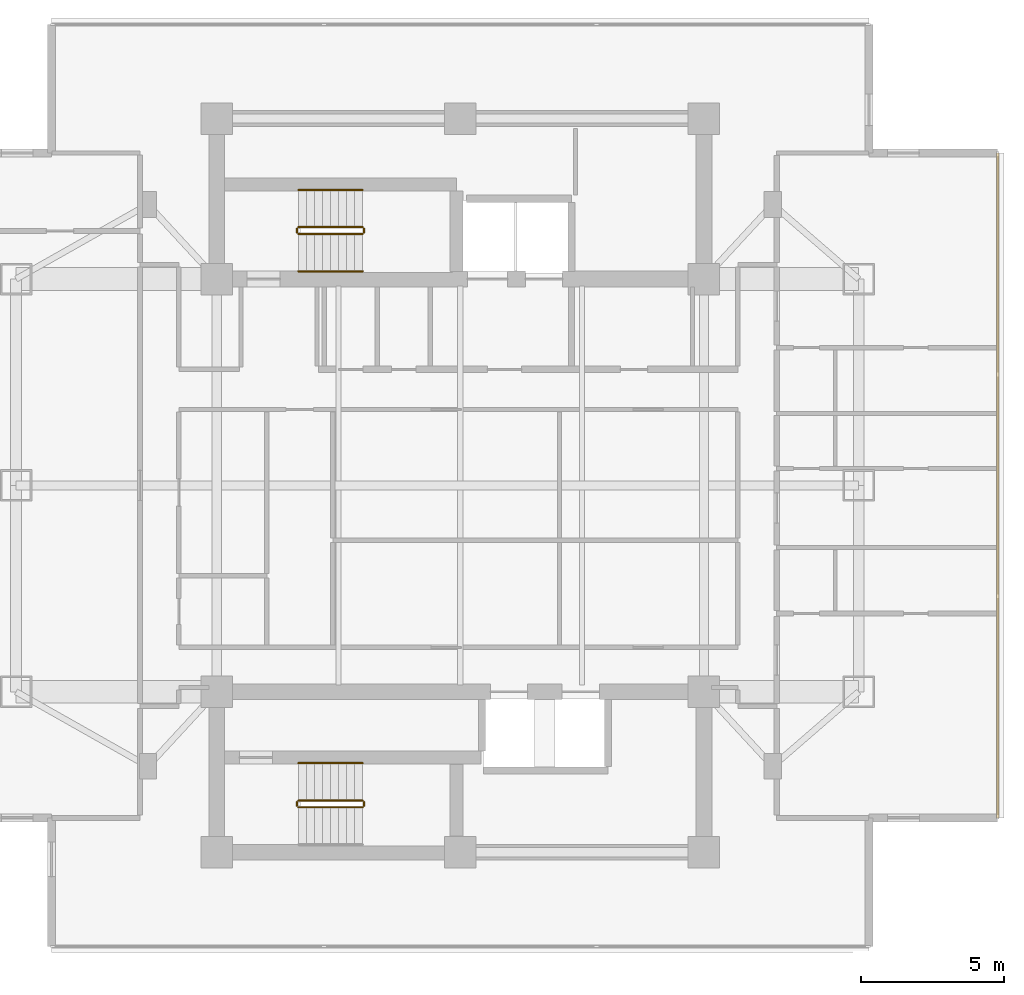
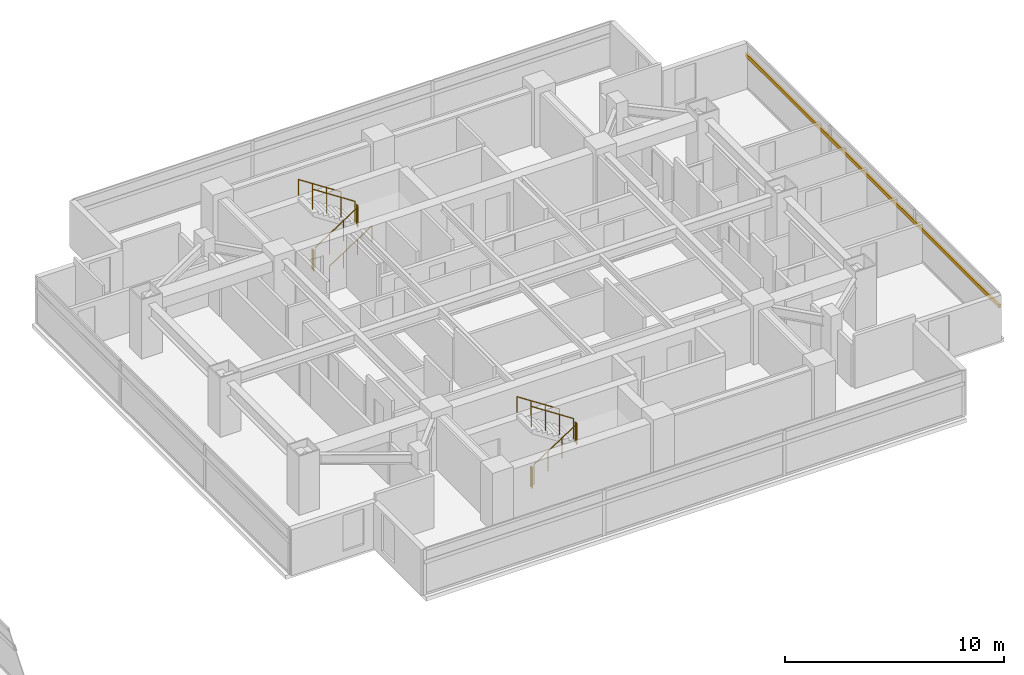
# One storey, part 23 of 24: 11 railings, 1 shading device.
"""IFC4 building model written with IfcOpenShell, lengths in metres."""

from ifc_helpers import new_model, si_unit, direction, frame, origin, origin_2d, place, context, subcontext, project, spatial, rectangle, circle, extrude, material, material_profile, profile_set, type_object, element, save


model = new_model("IFC4")

# Units and contexts
model_context = context("Model", 3, precision=1e-05, world=origin(), true_north=direction((0.0, 1.0)))
body_context = subcontext(model_context, "Body", "Model", "MODEL_VIEW")
ifc_project = project(units=[si_unit("LENGTHUNIT", "METRE"), si_unit("AREAUNIT", "SQUARE_METRE"), si_unit("VOLUMEUNIT", "CUBIC_METRE"), si_unit("PLANEANGLEUNIT", "RADIAN"), si_unit("MASSUNIT", "GRAM", prefix="KILO")], contexts=[model_context])

# Site, building, storey
site_placement = place(None, origin())
site = spatial("IfcSite", under=ifc_project, at=site_placement, CompositionType="ELEMENT")
building_placement = place(site_placement, origin())
building = spatial("IfcBuilding", under=site, at=building_placement, Name="Mirazonda Arch Towers", CompositionType="ELEMENT")
storey_placement = place(building_placement, frame((0.0, 0.0, 144.5)))
storey = spatial("IfcBuildingStorey", under=building, at=storey_placement, Name="L41", CompositionType="ELEMENT", Elevation=144.5)

# Shading device
ifc_material_1 = material(Name="Kiln-Fired Architectural Terracotta", Category="masonry")
ifc_material_profile = material_profile(ifc_material_1, rectangle(XDim=0.10009765625, YDim=0.199951171875, at=origin_2d()), Name="TERRA-BAG-100x200")
ifc_profile_set = profile_set([ifc_material_profile], Name="Kiln-Fired Architectural Terracotta")
shading_device_type = type_object("IfcShadingDeviceType", Name="BAGUETTE-2", PredefinedType="USERDEFINED", material=ifc_profile_set)
shading_device_placement = place(storey_placement, frame((95.2490234375, 16.401123046875, 1.84326171875), z_axis=(0.0, 1.0, 0.0), x_axis=(-1.0, 0.0, 0.0)))
element("IfcShadingDevice", 1, at=shading_device_placement, inside=storey, type_object=shading_device_type, Name="L41 Glazed Terracotta Sun-Screen Baguette CW-L41-T2-E", ObjectType="BAGUETTE", PredefinedType="USERDEFINED", context=body_context, shape_type="SweptSolid", body=[
    extrude(rectangle(XDim=0.10009765625, YDim=0.199951171875, at=origin_2d()), origin(), (0.0, 0.0, 1.0), 23.19775390625),
])

# Railings
ifc_material_2 = material(Name="Architectural Brushed Steel S355", Category="steel")
railing_type_1 = type_object("IfcRailingType", Name="GUARD-STAIR-1120", PredefinedType="GUARDRAIL", material=ifc_material_2)
railing_1_placement = place(storey_placement, frame((70.85009765625, 36.77001953125, 0.183349609375)))
element("IfcRailing", 2, at=railing_1_placement, inside=storey, type_object=railing_type_1, Name="L41 ST-T2N stair guard 1", PredefinedType="GUARDRAIL", context=body_context, shape_type="SweptSolid", body=[
    extrude(circle(Radius=0.02392578125, at=origin_2d()), frame((0.0, 0.0, 1.1259765625), z_axis=(0.836636935527, 0.0, 0.547757827979), x_axis=(0.0, 1.0, 0.0)), (0.0, 0.0, 1.0), 2.677490234375),
    extrude(circle(Radius=0.02099609375, at=origin_2d()), origin(), (0.0, 0.0, 1.0), 1.101806640625),
    extrude(circle(Radius=0.02099609375, at=origin_2d()), frame((0.74658203125, 0.0, 0.48876953125)), (0.0, 0.0, 1.0), 1.101806640625),
    extrude(circle(Radius=0.02099609375, at=origin_2d()), frame((1.493408203125, 0.0, 0.977783203125)), (0.0, 0.0, 1.0), 1.101806640625),
    extrude(circle(Radius=0.02099609375, at=origin_2d()), frame((2.239990234375, 0.0, 1.466552734375)), (0.0, 0.0, 1.0), 1.101806640625),
])
railing_2_placement = place(storey_placement, frame((73.139892578125, 36.820068359375, 1.64990234375)))
element("IfcRailing", 3, at=railing_2_placement, inside=storey, type_object=railing_type_1, Name="L41 ST-T2N stair guard 2", PredefinedType="GUARDRAIL", context=body_context, shape_type="SweptSolid", body=[
    extrude(circle(Radius=0.02392578125, at=origin_2d()), frame((0.0, 0.0, 1.1259765625), z_axis=(0.0, 1.0, 0.0), x_axis=(-1.0, 0.0, 0.0)), (0.0, 0.0, 1.0), 0.139892578125),
    extrude(circle(Radius=0.02099609375, at=origin_2d()), origin(), (0.0, 0.0, 1.0), 1.101806640625),
    extrude(circle(Radius=0.02099609375, at=origin_2d()), frame((0.0, 0.139892578125, 0.0)), (0.0, 0.0, 1.0), 1.101806640625),
])
railing_3_placement = place(storey_placement, frame((73.090087890625, 37.010009765625, 1.833251953125)))
element("IfcRailing", 4, at=railing_3_placement, inside=storey, type_object=railing_type_1, Name="L41 ST-T2N stair guard 3", PredefinedType="GUARDRAIL", context=body_context, shape_type="SweptSolid", body=[
    extrude(circle(Radius=0.02392578125, at=origin_2d()), frame((0.0, 0.0, 1.1259765625), z_axis=(-0.836595146698, 0.0, 0.547821650285), x_axis=(0.0, -1.0, 0.0)), (0.0, 0.0, 1.0), 2.677490234375),
    extrude(circle(Radius=0.02099609375, at=origin_2d()), origin(), (0.0, 0.0, 1.0), 1.101806640625),
    extrude(circle(Radius=0.02099609375, at=origin_2d()), frame((-0.74658203125, 0.0, 0.489013671875)), (0.0, 0.0, 1.0), 1.101806640625),
    extrude(circle(Radius=0.02099609375, at=origin_2d()), frame((-1.493408203125, 0.0, 0.977783203125)), (0.0, 0.0, 1.0), 1.101806640625),
    extrude(circle(Radius=0.02099609375, at=origin_2d()), frame((-2.239990234375, 0.0, 1.466796875)), (0.0, 0.0, 1.0), 1.101806640625),
])
railing_4_placement = place(storey_placement, frame((70.800048828125, 36.820068359375, 0.0)))
element("IfcRailing", 5, at=railing_4_placement, inside=storey, type_object=railing_type_1, Name="L41 ST-T2N stair guard 4", PredefinedType="GUARDRAIL", context=body_context, shape_type="SweptSolid", body=[
    extrude(circle(Radius=0.02392578125, at=origin_2d()), frame((0.0, 0.0, 1.1259765625), z_axis=(0.0, 1.0, 0.0), x_axis=(-1.0, 0.0, 0.0)), (0.0, 0.0, 1.0), 0.139892578125),
    extrude(circle(Radius=0.02099609375, at=origin_2d()), origin(), (0.0, 0.0, 1.0), 1.101806640625),
    extrude(circle(Radius=0.02099609375, at=origin_2d()), frame((0.0, 0.139892578125, 0.0)), (0.0, 0.0, 1.0), 1.101806640625),
])
railing_5_placement = place(storey_placement, frame((70.85009765625, 16.77001953125, 0.183349609375)))
element("IfcRailing", 6, at=railing_5_placement, inside=storey, type_object=railing_type_1, Name="L41 ST-T2S stair guard 1", PredefinedType="GUARDRAIL", context=body_context, shape_type="SweptSolid", body=[
    extrude(circle(Radius=0.02392578125, at=origin_2d()), frame((0.0, 0.0, 1.1259765625), z_axis=(0.836636935527, 0.0, 0.547757827979), x_axis=(0.0, 1.0, 0.0)), (0.0, 0.0, 1.0), 2.677490234375),
    extrude(circle(Radius=0.02099609375, at=origin_2d()), origin(), (0.0, 0.0, 1.0), 1.101806640625),
    extrude(circle(Radius=0.02099609375, at=origin_2d()), frame((0.74658203125, 0.0, 0.48876953125)), (0.0, 0.0, 1.0), 1.101806640625),
    extrude(circle(Radius=0.02099609375, at=origin_2d()), frame((1.493408203125, 0.0, 0.977783203125)), (0.0, 0.0, 1.0), 1.101806640625),
    extrude(circle(Radius=0.02099609375, at=origin_2d()), frame((2.239990234375, 0.0, 1.466552734375)), (0.0, 0.0, 1.0), 1.101806640625),
])
railing_6_placement = place(storey_placement, frame((73.139892578125, 16.820068359375, 1.64990234375)))
element("IfcRailing", 7, at=railing_6_placement, inside=storey, type_object=railing_type_1, Name="L41 ST-T2S stair guard 2", PredefinedType="GUARDRAIL", context=body_context, shape_type="SweptSolid", body=[
    extrude(circle(Radius=0.02392578125, at=origin_2d()), frame((0.0, 0.0, 1.1259765625), z_axis=(0.0, 1.0, 0.0), x_axis=(-1.0, 0.0, 0.0)), (0.0, 0.0, 1.0), 0.139892578125),
    extrude(circle(Radius=0.02099609375, at=origin_2d()), origin(), (0.0, 0.0, 1.0), 1.101806640625),
    extrude(circle(Radius=0.02099609375, at=origin_2d()), frame((0.0, 0.139892578125, 0.0)), (0.0, 0.0, 1.0), 1.101806640625),
])
railing_7_placement = place(storey_placement, frame((73.090087890625, 17.010009765625, 1.833251953125)))
element("IfcRailing", 8, at=railing_7_placement, inside=storey, type_object=railing_type_1, Name="L41 ST-T2S stair guard 3", PredefinedType="GUARDRAIL", context=body_context, shape_type="SweptSolid", body=[
    extrude(circle(Radius=0.02392578125, at=origin_2d()), frame((0.0, 0.0, 1.1259765625), z_axis=(-0.836595146698, 0.0, 0.547821650285), x_axis=(0.0, -1.0, 0.0)), (0.0, 0.0, 1.0), 2.677490234375),
    extrude(circle(Radius=0.02099609375, at=origin_2d()), origin(), (0.0, 0.0, 1.0), 1.101806640625),
    extrude(circle(Radius=0.02099609375, at=origin_2d()), frame((-0.74658203125, 0.0, 0.489013671875)), (0.0, 0.0, 1.0), 1.101806640625),
    extrude(circle(Radius=0.02099609375, at=origin_2d()), frame((-1.493408203125, 0.0, 0.977783203125)), (0.0, 0.0, 1.0), 1.101806640625),
    extrude(circle(Radius=0.02099609375, at=origin_2d()), frame((-2.239990234375, 0.0, 1.466796875)), (0.0, 0.0, 1.0), 1.101806640625),
])
railing_8_placement = place(storey_placement, frame((70.800048828125, 16.820068359375, 0.0)))
element("IfcRailing", 9, at=railing_8_placement, inside=storey, type_object=railing_type_1, Name="L41 ST-T2S stair guard 4", PredefinedType="GUARDRAIL", context=body_context, shape_type="SweptSolid", body=[
    extrude(circle(Radius=0.02392578125, at=origin_2d()), frame((0.0, 0.0, 1.1259765625), z_axis=(0.0, 1.0, 0.0), x_axis=(-1.0, 0.0, 0.0)), (0.0, 0.0, 1.0), 0.139892578125),
    extrude(circle(Radius=0.02099609375, at=origin_2d()), origin(), (0.0, 0.0, 1.0), 1.101806640625),
    extrude(circle(Radius=0.02099609375, at=origin_2d()), frame((0.0, 0.139892578125, 0.0)), (0.0, 0.0, 1.0), 1.101806640625),
])
railing_type_2 = type_object("IfcRailingType", Name="HANDRAIL-915", PredefinedType="HANDRAIL", material=ifc_material_2)
railing_9_placement = place(storey_placement, frame((70.85009765625, 35.469970703125, 0.183349609375)))
element("IfcRailing", 10, at=railing_9_placement, inside=storey, type_object=railing_type_2, Name="L41 ST-T2N stair handrail 1", PredefinedType="HANDRAIL", context=body_context, shape_type="SweptSolid", body=[
    extrude(circle(Radius=0.02392578125, at=origin_2d()), frame((0.0, 0.0, 0.8759765625), z_axis=(0.836636935527, 0.0, 0.547757827979), x_axis=(0.0, 1.0, 0.0)), (0.0, 0.0, 1.0), 2.677490234375),
    extrude(circle(Radius=0.02099609375, at=origin_2d()), origin(), (0.0, 0.0, 1.0), 0.851806640625),
    extrude(circle(Radius=0.02099609375, at=origin_2d()), frame((0.74658203125, 0.0, 0.48876953125)), (0.0, 0.0, 1.0), 0.851806640625),
    extrude(circle(Radius=0.02099609375, at=origin_2d()), frame((1.493408203125, 0.0, 0.977783203125)), (0.0, 0.0, 1.0), 0.851806640625),
    extrude(circle(Radius=0.02099609375, at=origin_2d()), frame((2.239990234375, 0.0, 1.466552734375)), (0.0, 0.0, 1.0), 0.851806640625),
])
for number, where, name in (
    (11, (73.090087890625, 38.31005859375, 1.833251953125), "L41 ST-T2N stair handrail 2"),
    (12, (73.090087890625, 18.31005859375, 1.833251953125), "L41 ST-T2S stair handrail 2"),
):
    element("IfcRailing", number, at=place(storey_placement, frame(where)), inside=storey, type_object=railing_type_2, Name=name, PredefinedType="HANDRAIL", context=body_context, shape_type="SweptSolid", body=[
        extrude(circle(Radius=0.02392578125, at=origin_2d()), frame((0.0, 0.0, 0.8759765625), z_axis=(-0.836595146698, 0.0, 0.547821650285), x_axis=(0.0, -1.0, 0.0)), (0.0, 0.0, 1.0), 2.677490234375),
        extrude(circle(Radius=0.02099609375, at=origin_2d()), origin(), (0.0, 0.0, 1.0), 0.851806640625),
        extrude(circle(Radius=0.02099609375, at=origin_2d()), frame((-0.74658203125, 0.0, 0.489013671875)), (0.0, 0.0, 1.0), 0.851806640625),
        extrude(circle(Radius=0.02099609375, at=origin_2d()), frame((-1.493408203125, 0.0, 0.977783203125)), (0.0, 0.0, 1.0), 0.851806640625),
        extrude(circle(Radius=0.02099609375, at=origin_2d()), frame((-2.239990234375, 0.0, 1.466796875)), (0.0, 0.0, 1.0), 0.851806640625),
    ])

save(model, "model.ifc")
